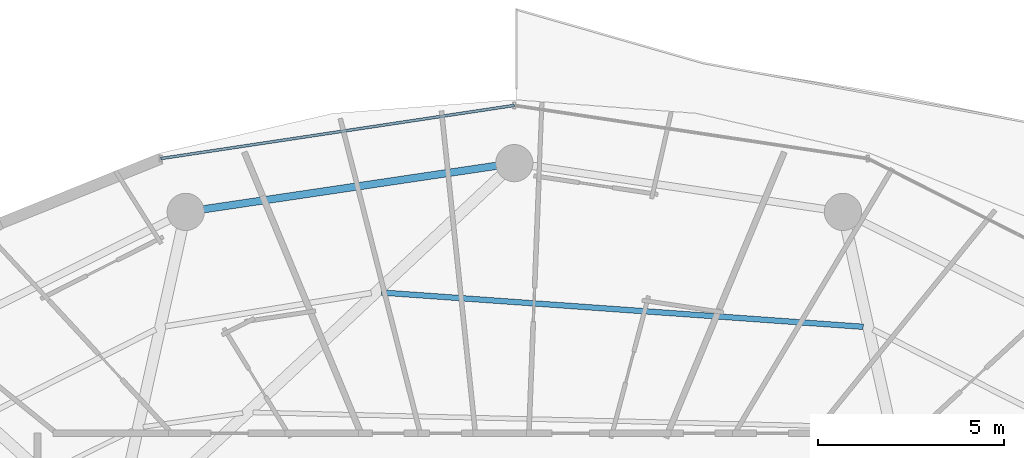
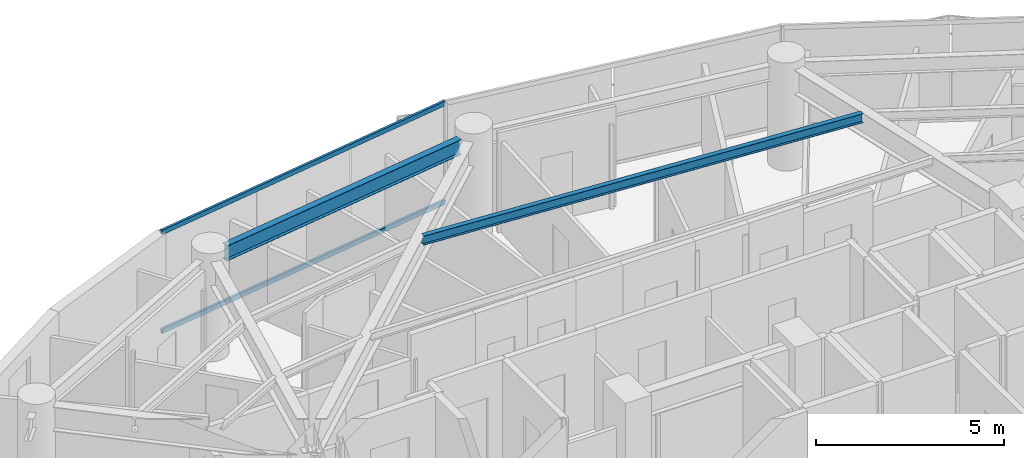
# One storey, part 16 of 28: 2 beams, 2 members, 1 element without a shape of its own.
"""IFC4 building model written with IfcOpenShell, lengths in metres."""

from ifc_helpers import new_model, si_unit, direction, frame, origin, origin_2d, place, context, subcontext, project, spatial, hollow_rectangle, i_section, extrude, material, material_profile, profile_set, type_object, element, aggregate, save


model = new_model("IFC4")

# Units and contexts
model_context = context("Model", 3, precision=1e-05, world=origin(), true_north=direction((0.0, 1.0)))
body_context = subcontext(model_context, "Body", "Model", "MODEL_VIEW")
ifc_project = project(units=[si_unit("LENGTHUNIT", "METRE"), si_unit("AREAUNIT", "SQUARE_METRE"), si_unit("VOLUMEUNIT", "CUBIC_METRE"), si_unit("PLANEANGLEUNIT", "RADIAN"), si_unit("MASSUNIT", "GRAM", prefix="KILO")], contexts=[model_context])

# Site, building, storey
site_placement = place(None, origin())
site = spatial("IfcSite", under=ifc_project, at=site_placement, CompositionType="ELEMENT")
building_placement = place(site_placement, origin())
building = spatial("IfcBuilding", under=site, at=building_placement, Name="Vorneva Point Tower", CompositionType="ELEMENT")
storey_placement = place(building_placement, frame((0.0, 0.0, 139.60009765625)))
storey = spatial("IfcBuildingStorey", under=building, at=storey_placement, Name="L37", CompositionType="ELEMENT", Elevation=139.60009765625)

# Beams
ifc_material_1 = material(Name="Steel S355", Category="steel")
ifc_material_profile_1 = material_profile(ifc_material_1, i_section(OverallWidth=0.14892578125, OverallDepth=0.298095703125, WebThickness=0.005615234375, FlangeThickness=0.008056640625, at=origin_2d()), Name="30B1")
ifc_profile_set_1 = profile_set([ifc_material_profile_1], Name="Steel S355")
beam_type_1 = type_object("IfcBeamType", Name="BM-JST-30B1", PredefinedType="JOIST", material=ifc_profile_set_1)
beam_1_placement = place(storey_placement, frame((47.3662109375, 38.806396484375, 3.0908203125), z_axis=(-0.997475780463, 0.071007516435, 0.0), x_axis=(-0.071007516435, -0.997475780463, 0.0)))
element("IfcBeam", 1, at=beam_1_placement, inside=storey, type_object=beam_type_1, Name="L37 Secondary Floor Beam 1.04", PredefinedType="JOIST", context=body_context, shape_type="SweptSolid", body=[
    extrude(i_section(OverallWidth=0.14892578125, OverallDepth=0.298095703125, WebThickness=0.005615234375, FlangeThickness=0.008056640625, at=origin_2d()), origin(), (0.0, 0.0, 1.0), 12.965576171875),
])
ifc_material_profile_2 = material_profile(ifc_material_1, i_section(OverallWidth=0.199951171875, OverallDepth=0.491943359375, WebThickness=0.0087890625, FlangeThickness=0.011962890625, at=origin_2d()), Name="50B1")
ifc_profile_set_2 = profile_set([ifc_material_profile_2], Name="Steel S355")
beam_type_2 = type_object("IfcBeamType", Name="BM-SPN-50B1", PredefinedType="SPANDREL", material=ifc_profile_set_2)
beam_2_placement = place(storey_placement, frame((37.520263671875, 43.12890625, 2.993896484375), z_axis=(-0.989161199046, -0.146833655211, 0.0), x_axis=(0.146833655211, -0.989161199046, 0.0)))
element("IfcBeam", 2, at=beam_2_placement, inside=storey, type_object=beam_type_2, Name="L37 Perimeter Spandrel Ring Beam 05", PredefinedType="SPANDREL", context=body_context, shape_type="SweptSolid", body=[
    extrude(i_section(OverallWidth=0.199951171875, OverallDepth=0.491943359375, WebThickness=0.0087890625, FlangeThickness=0.011962890625, at=origin_2d()), origin(), (0.0, 0.0, 1.0), 7.94775390625),
])

# Curtain wall, members
ifc_material_2 = material(Name="Pale anodised aluminium", Category="aluminium")
curtain_wall_type = type_object("IfcCurtainWallType", Name="CW-RES-SYS", PredefinedType="NOTDEFINED", material=ifc_material_2)
curtain_wall_placement = place(storey_placement, origin())
curtain_wall = element("IfcCurtainWall", 3, at=curtain_wall_placement, inside=storey, type_object=curtain_wall_type, Name="L37 Unitised Curtain Wall CW-L37-R01", PredefinedType="NOTDEFINED")
ifc_material_profile_3 = material_profile(ifc_material_2, hollow_rectangle(XDim=0.074951171875, YDim=0.14990234375, WallThickness=0.00390625, at=origin_2d()), Name="AL-TRN 150x75x4")
ifc_profile_set_3 = profile_set([ifc_material_profile_3], Name="Pale anodised aluminium")
member_type = type_object("IfcMemberType", Name="CW-TRN-150", PredefinedType="USERDEFINED", material=ifc_profile_set_3)
member_1_placement = place(storey_placement, frame((38.0, 44.75, 0.02001953125), z_axis=(-0.988880117727, -0.148714870687, 0.0), x_axis=(0.148714870687, -0.988880117727, 0.0)))
member_1 = element("IfcMember", 4, at=member_1_placement, type_object=member_type, Name="CW-L37-R01 Transom 04.1", ObjectType="TRANSOM", PredefinedType="USERDEFINED", context=body_context, shape_type="SweptSolid", body=[
    extrude(hollow_rectangle(XDim=0.074951171875, YDim=0.14990234375, WallThickness=0.00390625, at=origin_2d()), origin(), (0.0, 0.0, 1.0), 9.59716796875),
])
member_2_placement = place(storey_placement, frame((38.0, 44.75, 3.219970703125), z_axis=(-0.988880117727, -0.148714870687, 0.0), x_axis=(0.148714870687, -0.988880117727, 0.0)))
member_2 = element("IfcMember", 5, at=member_2_placement, type_object=member_type, Name="CW-L37-R01 Transom 04.2", ObjectType="TRANSOM", PredefinedType="USERDEFINED", context=body_context, shape_type="SweptSolid", body=[
    extrude(hollow_rectangle(XDim=0.074951171875, YDim=0.14990234375, WallThickness=0.00390625, at=origin_2d()), origin(), (0.0, 0.0, 1.0), 9.59716796875),
])
aggregate(curtain_wall, [member_1, member_2])

save(model, "model.ifc")
